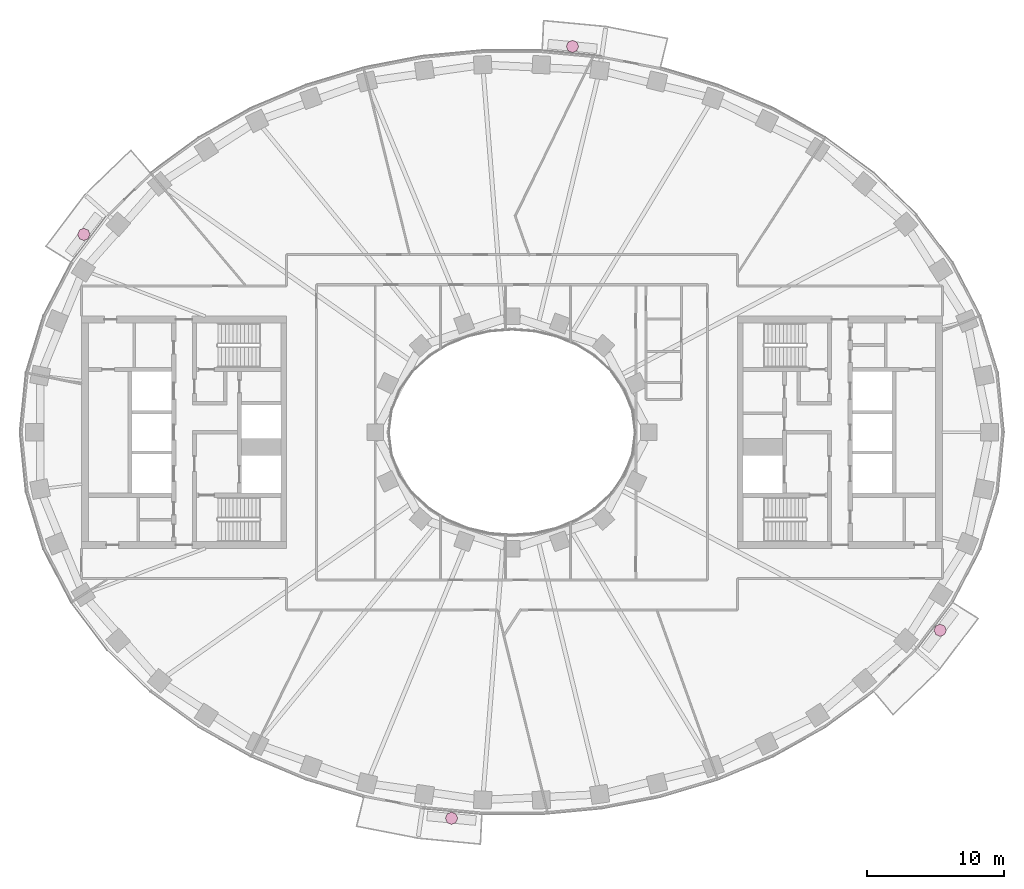
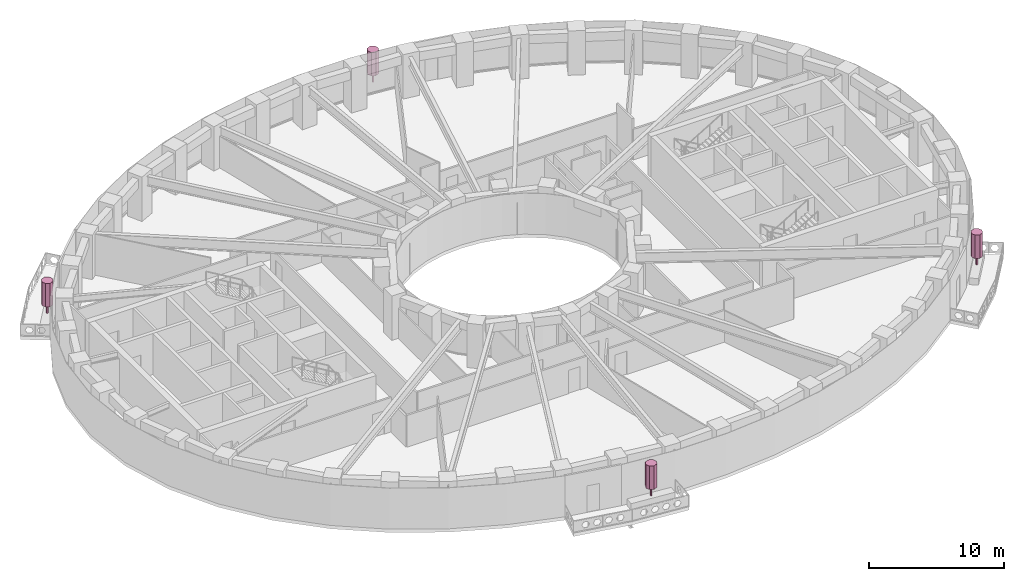
# One storey, part 16 of 16: 4 furnishings.
"""IFC4 building model written with IfcOpenShell, lengths in metres."""

from ifc_helpers import new_model, si_unit, direction, frame, origin, origin_2d, place, context, subcontext, project, spatial, polyline, rectangle, outline, extrude, material, type_object, element, save


model = new_model("IFC4")

# Units and contexts
model_context = context("Model", 3, precision=1e-05, world=origin(), true_north=direction((0.0, 1.0)))
body_context = subcontext(model_context, "Body", "Model", "MODEL_VIEW")
ifc_project = project(units=[si_unit("LENGTHUNIT", "METRE"), si_unit("AREAUNIT", "SQUARE_METRE"), si_unit("VOLUMEUNIT", "CUBIC_METRE"), si_unit("PLANEANGLEUNIT", "RADIAN"), si_unit("MASSUNIT", "GRAM", prefix="KILO")], contexts=[model_context])

# Site, building, storey
site_placement = place(None, origin())
site = spatial("IfcSite", under=ifc_project, at=site_placement, CompositionType="ELEMENT")
building_placement = place(site_placement, origin())
building = spatial("IfcBuilding", under=site, at=building_placement, Name="Noorbagh Ring Tower", CompositionType="ELEMENT")
storey_placement = place(building_placement, frame((0.0, 0.0, 100.0)))
storey = spatial("IfcBuildingStorey", under=building, at=storey_placement, Name="L22", CompositionType="ELEMENT", Elevation=100.0)

# Furnishings
ifc_material = material(Name="Planting foliage green")
furnishing_element_type = type_object("IfcFurnishingElementType", Name="ENV-TREE", material=ifc_material)
for number, where, z_axis, x_axis, name in (
    (1, (4.423828125, 28.2373046875, 0.60009765625), (0.0, 0.0, 1.0), (1.0, 0.0, 0.0), "Tree BN03"),
    (2, (-31.329833984375, 14.4833984375, 0.60009765625), (0.0, 0.0, 1.0), (1.0, 0.0, 0.0), "Tree BN06"),
    (3, (-4.423828125, -28.2373046875, 0.60009765625), (0.0, 0.0, 1.0), (1.0, 0.0, 0.0), "Tree BS03"),
    (4, (31.329833984375, -14.4833984375, 0.60009765625), (0.0, 0.0, 1.0), (1.0, 0.0, 0.0), "Tree BS06"),
):
    element("IfcFurnishingElement", number, at=place(storey_placement, frame(where, z_axis=z_axis, x_axis=x_axis)), inside=storey, type_object=furnishing_element_type, Name=name, context=body_context, shape_type="SweptSolid", body=[
        extrude(rectangle(XDim=0.1201171875, YDim=0.1201171875, at=origin_2d()), origin(), (0.0, 0.0, 1.0), 0.825927734375),
        extrude(outline(polyline([(0.449951171875, 0.0), (0.318115234375, 0.318115234375), (0.0, 0.449951171875), (-0.318115234375, 0.318115234375), (-0.449951171875, 0.0), (-0.318115234375, -0.318115234375), (0.0, -0.449951171875), (0.318115234375, -0.318115234375), (0.449951171875, 0.0)])), frame((0.0, 0.0, 0.825927734375)), (0.0, 0.0, 1.0), 2.1240234375),
    ])

save(model, "model.ifc")
